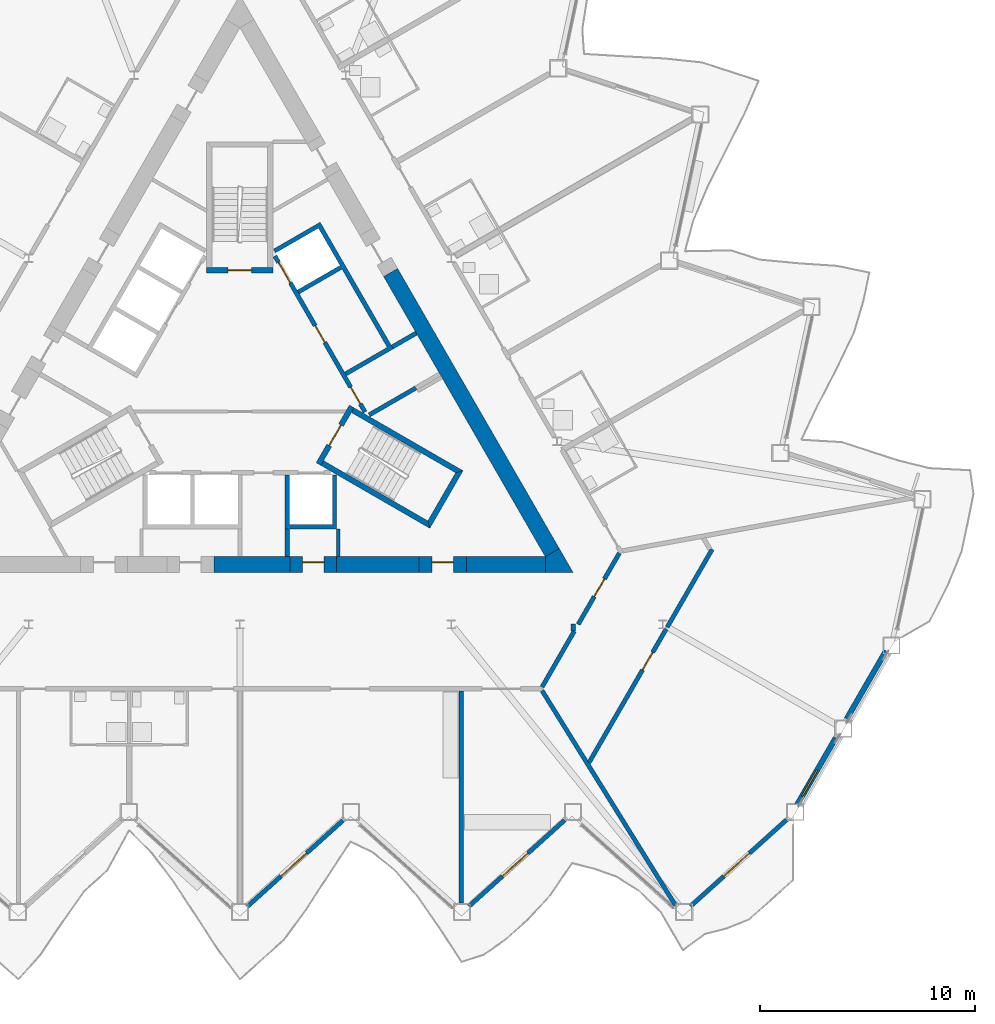
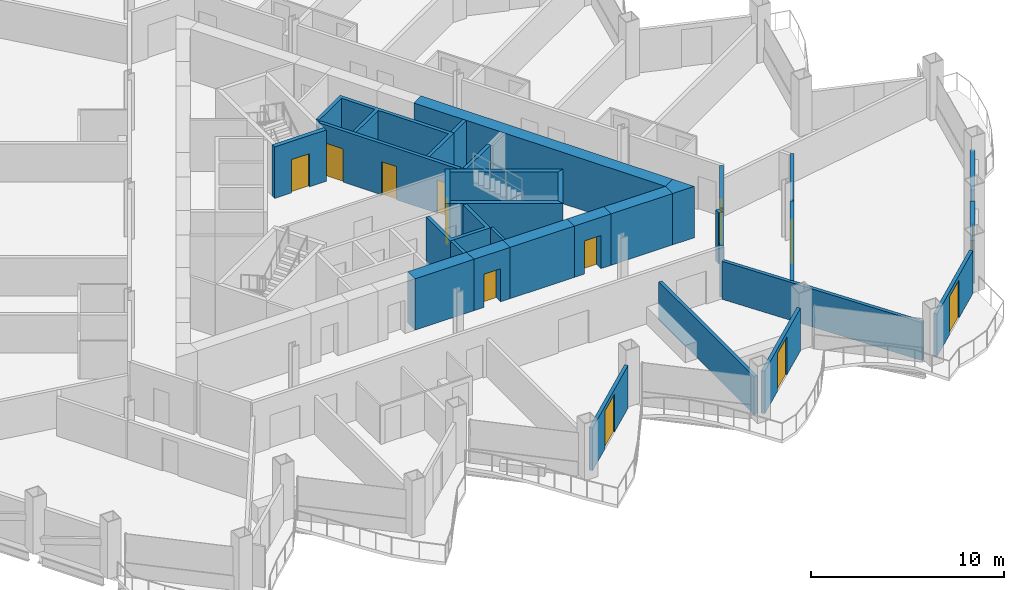
# One storey, part 13 of 24: 31 walls, 12 doors, 1 window, 13 openings.
"""IFC4 building model written with IfcOpenShell, lengths in metres."""

from ifc_helpers import new_model, si_unit, direction, frame, frame_2d, origin, place, context, subcontext, project, spatial, polyline, rectangle, outline, extrude, material, layer, layer_set, type_object, element, fill, save


model = new_model("IFC4")

# Units and contexts
model_context = context("Model", 3, precision=1e-05, world=origin(), true_north=direction((0.0, 1.0)))
body_context = subcontext(model_context, "Body", "Model", "MODEL_VIEW")
ifc_project = project(units=[si_unit("LENGTHUNIT", "METRE"), si_unit("AREAUNIT", "SQUARE_METRE"), si_unit("VOLUMEUNIT", "CUBIC_METRE"), si_unit("PLANEANGLEUNIT", "RADIAN"), si_unit("MASSUNIT", "GRAM", prefix="KILO")], contexts=[model_context])

# Site, building, storey
site_placement = place(None, origin())
site = spatial("IfcSite", under=ifc_project, at=site_placement, CompositionType="ELEMENT")
building_placement = place(site_placement, origin())
building = spatial("IfcBuilding", under=site, at=building_placement, Name="Cormorant Prow Tower", CompositionType="ELEMENT")
storey_placement = place(building_placement, frame((0.0, 0.0, 201.60009765625)))
storey = spatial("IfcBuildingStorey", under=building, at=storey_placement, Name="L44", CompositionType="ELEMENT", Elevation=201.60009765625)

# Walls
ifc_material_1 = material(Name="Gypsum board partition")
ifc_layer_1 = layer(ifc_material_1, 0.14990234375)
ifc_layer_set_1 = layer_set([ifc_layer_1], Name="Gypsum board partition")
wall_type_1 = type_object("IfcWallType", Name="Core partition 150", PredefinedType="PARTITIONING", material=ifc_layer_set_1)
wall_1_placement = place(storey_placement, frame((4.574951171875, -6.906005859375, 0.0), z_axis=(0.0, 0.0, 1.0), x_axis=(0.0, -1.0, 0.0)))
element("IfcWall", 1, at=wall_1_placement, inside=storey, type_object=wall_type_1, Name="Service room partition", PredefinedType="PARTITIONING", context=body_context, shape_type="SweptSolid", body=[
    extrude(rectangle(XDim=1.29296875, YDim=0.14990234375, at=frame_2d((0.646484375, 0.0))), origin(), (0.0, 0.0, 1.0), 3.25),
])
ifc_material_2 = material(Name="Concrete 8000 psi", Category="concrete")
ifc_layer_2 = layer(ifc_material_2, 0.75)
ifc_layer_set_2 = layer_set([ifc_layer_2], Name="Concrete 8000 psi")
wall_type_2 = type_object("IfcWallType", Name="Core shear wall 750", PredefinedType="SHEAR", material=ifc_layer_set_2)
wall_2_placement = place(storey_placement, frame((4.47998046875, -8.573974609375, 0.0), z_axis=(0.0, 0.0, 1.0), x_axis=(1.0, 0.0, 0.0)))
element("IfcWall", 2, at=wall_2_placement, inside=storey, type_object=wall_type_2, Name="Core wall", PredefinedType="SHEAR", context=body_context, shape_type="SweptSolid", body=[
    extrude(rectangle(XDim=3.845458984375, YDim=0.75, at=frame_2d((1.9228515625, 0.0))), origin(), (0.0, 0.0, 1.0), 3.25),
])
wall_3_placement = place(storey_placement, frame((10.525390625, -8.573974609375, 0.0), z_axis=(0.0, 0.0, 1.0), x_axis=(1.0, 0.0, 0.0)))
element("IfcWall", 3, at=wall_3_placement, inside=storey, type_object=wall_type_2, Name="Core wall", PredefinedType="SHEAR", context=body_context, shape_type="SweptSolid", body=[
    extrude(rectangle(XDim=3.675537109375, YDim=0.75, at=frame_2d((1.837890625, 0.0))), origin(), (0.0, 0.0, 1.0), 3.25),
])
wall_4_placement = place(storey_placement, frame((-1.199951171875, -8.573974609375, 0.0), z_axis=(0.0, 0.0, 1.0), x_axis=(1.0, 0.0, 0.0)))
element("IfcWall", 4, at=wall_4_placement, inside=storey, type_object=wall_type_2, Name="Core wall", PredefinedType="SHEAR", context=body_context, shape_type="SweptSolid", body=[
    extrude(rectangle(XDim=3.52001953125, YDim=0.75, at=frame_2d((1.760009765625, 0.0))), origin(), (0.0, 0.0, 1.0), 3.25),
])
wall_5_placement = place(storey_placement, frame((14.525634765625, -8.011474609375, 0.0), z_axis=(0.0, 0.0, 1.0), x_axis=(-0.499996012963, 0.866027705689, 0.0)))
element("IfcWall", 5, at=wall_5_placement, inside=storey, type_object=wall_type_2, Name="Core wall", PredefinedType="SHEAR", context=body_context, shape_type="SweptSolid", body=[
    extrude(rectangle(XDim=15.03857421875, YDim=0.75, at=frame_2d((7.519287109375, 0.0))), origin(), (0.0, 0.0, 1.0), 3.25),
])
wall_6_placement = place(storey_placement, origin())
element("IfcWall", 6, at=wall_6_placement, inside=storey, type_object=wall_type_2, Name="Core wall corner", PredefinedType="SHEAR", context=body_context, shape_type="SweptSolid", body=[
    extrude(outline(polyline([(14.200927734375, -8.948974609375), (14.200927734375, -8.198974609375), (14.8505859375, -7.823974609375), (15.5, -8.948974609375), (14.200927734375, -8.948974609375)])), origin(), (0.0, 0.0, 1.0), 3.25),
])

# Wall, opening, door
wall_7_placement = place(storey_placement, frame((2.320068359375, -8.573974609375, 0.0), z_axis=(0.0, 0.0, 1.0), x_axis=(1.0, 0.0, 0.0)))
wall_7 = element("IfcWall", 7, at=wall_7_placement, inside=storey, type_object=wall_type_2, Name="Core wall door panel", PredefinedType="SHEAR", context=body_context, shape_type="SweptSolid", body=[
    extrude(rectangle(XDim=2.159912109375, YDim=0.75, at=frame_2d((1.080078125, 0.0))), origin(), (0.0, 0.0, 1.0), 3.25),
])
opening_1_placement = place(wall_7_placement, frame((0.60009765625, 0.0, 0.0)))
opening_1 = element("IfcOpeningElement", 8, at=opening_1_placement, cuts=wall_7, Name="Opening L44-C15", PredefinedType="OPENING", context=body_context, shape_type="SweptSolid", body=[
    extrude(rectangle(XDim=1.0, YDim=2.10009765625, at=frame_2d((0.5, 1.050048828125))), frame((0.0, 0.385009765625, 0.0), z_axis=(0.0, -1.0, 0.0), x_axis=(1.0, 0.0, 0.0)), (0.0, 0.0, 1.0), 0.77001953125),
])
ifc_material_3 = material(Name="Painted steel", Category="steel")
door_type_1 = type_object("IfcDoorType", Name="Service door 1000x2100", OperationType="NOTDEFINED", PredefinedType="DOOR", material=ifc_material_3)
door_1_placement = place(opening_1_placement, origin())
door_1 = element("IfcDoor", 9, at=door_1_placement, inside=storey, type_object=door_type_1, Name="Core door, Telecom room", OperationType="SINGLE_SWING_LEFT", OverallHeight=2.10009765625, OverallWidth=1.0, PredefinedType="DOOR", context=body_context, shape_type="SweptSolid", body=[
    extrude(rectangle(XDim=1.0, YDim=2.10009765625, at=frame_2d((0.5, 1.050048828125))), frame((0.0, 0.1298828125, 0.0), z_axis=(0.0, -1.0, 0.0), x_axis=(1.0, 0.0, 0.0)), (0.0, 0.0, 1.0), 0.050048828125),
])
fill(opening_1, door_1)

wall_8_placement = place(storey_placement, frame((8.325439453125, -8.573974609375, 0.0), z_axis=(0.0, 0.0, 1.0), x_axis=(1.0, 0.0, 0.0)))
wall_8 = element("IfcWall", 10, at=wall_8_placement, inside=storey, type_object=wall_type_2, Name="Core wall door panel", PredefinedType="SHEAR", context=body_context, shape_type="SweptSolid", body=[
    extrude(rectangle(XDim=2.199951171875, YDim=0.75, at=frame_2d((1.10009765625, 0.0))), origin(), (0.0, 0.0, 1.0), 3.25),
])
opening_2_placement = place(wall_8_placement, frame((0.60009765625, 0.0, 0.0)))
opening_2 = element("IfcOpeningElement", 11, at=opening_2_placement, cuts=wall_8, Name="Opening L44-C17", PredefinedType="OPENING", context=body_context, shape_type="SweptSolid", body=[
    extrude(rectangle(XDim=1.0, YDim=2.10009765625, at=frame_2d((0.5, 1.050048828125))), frame((0.0, 0.385009765625, 0.0), z_axis=(0.0, -1.0, 0.0), x_axis=(1.0, 0.0, 0.0)), (0.0, 0.0, 1.0), 0.77001953125),
])
door_2_placement = place(opening_2_placement, origin())
door_2 = element("IfcDoor", 12, at=door_2_placement, inside=storey, type_object=door_type_1, Name="Core door, Cleaners store", OperationType="SINGLE_SWING_LEFT", OverallHeight=2.10009765625, OverallWidth=1.0, PredefinedType="DOOR", context=body_context, shape_type="SweptSolid", body=[
    extrude(rectangle(XDim=1.0, YDim=2.10009765625, at=frame_2d((0.5, 1.050048828125))), frame((0.0, 0.1298828125, 0.0), z_axis=(0.0, -1.0, 0.0), x_axis=(1.0, 0.0, 0.0)), (0.0, 0.0, 1.0), 0.050048828125),
])
fill(opening_2, door_2)

ifc_material_4 = material(Name="Gypsum board corridor wall")
ifc_layer_3 = layer(ifc_material_4, 0.199951171875)
ifc_layer_set_3 = layer_set([ifc_layer_3], Name="Gypsum board corridor wall")
wall_type_3 = type_object("IfcWallType", Name="Corridor wall 200", PredefinedType="PARTITIONING", material=ifc_layer_set_3)
wall_9_placement = place(storey_placement, frame((15.73095703125, -11.348876953125, 0.0), z_axis=(0.0, 0.0, 1.0), x_axis=(0.499961815444, 0.866047448526, 0.0)))
wall_9 = element("IfcWall", 13, at=wall_9_placement, inside=storey, type_object=wall_type_3, Name="Corridor wall", PredefinedType="PARTITIONING", context=body_context, shape_type="SweptSolid", body=[
    extrude(rectangle(XDim=3.825927734375, YDim=0.199951171875, at=frame_2d((1.9130859375, 0.0))), origin(), (0.0, 0.0, 1.0), 3.25),
])
opening_3_placement = place(wall_9_placement, frame((1.48974609375, 0.0, 0.0)))
opening_3 = element("IfcOpeningElement", 14, at=opening_3_placement, cuts=wall_9, Name="Opening L44-F08", PredefinedType="OPENING", context=body_context, shape_type="SweptSolid", body=[
    extrude(rectangle(XDim=0.949951171875, YDim=2.10009765625, at=frame_2d((0.47509765625, 1.050048828125))), frame((0.0, 0.10986328125, 0.0), z_axis=(0.0, -1.0, 0.0), x_axis=(1.0, 0.0, 0.0)), (0.0, 0.0, 1.0), 0.219970703125),
])
ifc_material_5 = material(Name="Timber door leaf", Category="wood")
door_type_2 = type_object("IfcDoorType", Name="Store door 950x2100", OperationType="NOTDEFINED", PredefinedType="DOOR", material=ifc_material_5)
door_3_placement = place(opening_3_placement, origin())
door_3 = element("IfcDoor", 15, at=door_3_placement, inside=storey, type_object=door_type_2, Name="Housekeeping room door", OperationType="SINGLE_SWING_LEFT", OverallHeight=2.10009765625, OverallWidth=0.949951171875, PredefinedType="DOOR", context=body_context, shape_type="SweptSolid", body=[
    extrude(rectangle(XDim=0.949951171875, YDim=2.10009765625, at=frame_2d((0.47509765625, 1.050048828125))), frame((0.0, 0.02490234375, 0.0), z_axis=(0.0, -1.0, 0.0), x_axis=(1.0, 0.0, 0.0)), (0.0, 0.0, 1.0), 0.050048828125),
])
fill(opening_3, door_3)

# Walls
wall_10_placement = place(storey_placement, frame((14.048828125, -14.26220703125, 0.0), z_axis=(0.0, 0.0, 1.0), x_axis=(0.500048608389, 0.865997337899, 0.0)))
element("IfcWall", 16, at=wall_10_placement, inside=storey, type_object=wall_type_3, Name="Corridor wall", PredefinedType="PARTITIONING", context=body_context, shape_type="SweptSolid", body=[
    extrude(rectangle(XDim=3.002197265625, YDim=0.199951171875, at=frame_2d((1.5009765625, 0.0))), origin(), (0.0, 0.0, 1.0), 3.25),
])
wall_11_placement = place(storey_placement, frame((15.5, -11.64892578125, 0.0), z_axis=(0.0, 0.0, 1.0), x_axis=(0.0, 1.0, 0.0)))
element("IfcWall", 17, at=wall_11_placement, inside=storey, type_object=wall_type_3, Name="Corridor wall", PredefinedType="PARTITIONING", context=body_context, shape_type="SweptSolid", body=[
    extrude(rectangle(XDim=0.31005859375, YDim=0.199951171875, at=frame_2d((0.155029296875, 0.0))), origin(), (0.0, 0.0, 1.0), 3.25),
])
ifc_material_6 = material(Name="Gypsum board demising wall")
ifc_layer_4 = layer(ifc_material_6, 0.199951171875)
ifc_layer_set_4 = layer_set([ifc_layer_4], Name="Gypsum board demising wall")
wall_type_4 = type_object("IfcWallType", Name="Demising wall 200", PredefinedType="PARTITIONING", material=ifc_layer_set_4)
wall_12_placement = place(storey_placement, frame((14.051513671875, -14.433837890625, 0.0), z_axis=(0.0, 0.0, 1.0), x_axis=(0.527581174538, -0.849504622868, 0.0)))
element("IfcWall", 18, at=wall_12_placement, inside=storey, type_object=wall_type_4, Name="Demising wall", PredefinedType="PARTITIONING", context=body_context, shape_type="SweptSolid", body=[
    extrude(rectangle(XDim=11.74658203125, YDim=0.199951171875, at=frame_2d((5.873291015625, 0.0))), origin(), (0.0, 0.0, 1.0), 2.404052734375),
])
wall_13_placement = place(storey_placement, frame((10.296142578125, -24.3115234375, 0.0), z_axis=(0.0, 0.0, 1.0), x_axis=(0.0, 1.0, 0.0)))
element("IfcWall", 19, at=wall_13_placement, inside=storey, type_object=wall_type_4, Name="Demising wall", PredefinedType="PARTITIONING", context=body_context, shape_type="SweptSolid", body=[
    extrude(rectangle(XDim=9.862548828125, YDim=0.199951171875, at=frame_2d((4.93115234375, 0.0))), origin(), (0.0, 0.0, 1.0), 2.404052734375),
])

# Wall, opening, door
wall_14_placement = place(storey_placement, frame((16.23291015625, -17.779296875, 0.0), z_axis=(0.0, 0.0, 1.0), x_axis=(0.500008997517, 0.866020209003, 0.0)))
wall_14 = element("IfcWall", 20, at=wall_14_placement, inside=storey, type_object=wall_type_4, Name="Demising wall", PredefinedType="PARTITIONING", context=body_context, shape_type="SweptSolid", body=[
    extrude(rectangle(XDim=7.178466796875, YDim=0.199951171875, at=frame_2d((3.58935546875, 0.0))), origin(), (0.0, 0.0, 1.0), 2.404052734375),
])
opening_4_placement = place(wall_14_placement, frame((4.973388671875, 0.0, 0.0)))
opening_4 = element("IfcOpeningElement", 21, at=opening_4_placement, cuts=wall_14, Name="Opening L44-F09", PredefinedType="OPENING", context=body_context, shape_type="SweptSolid", body=[
    extrude(rectangle(XDim=0.949951171875, YDim=2.10009765625, at=frame_2d((0.47509765625, 1.050048828125))), frame((0.0, 0.10986328125, 0.0), z_axis=(0.0, -1.0, 0.0), x_axis=(1.0, 0.0, 0.0)), (0.0, 0.0, 1.0), 0.219970703125),
])
door_4_placement = place(opening_4_placement, origin())
door_4 = element("IfcDoor", 22, at=door_4_placement, inside=storey, type_object=door_type_2, Name="Linen store door", OperationType="SINGLE_SWING_LEFT", OverallHeight=2.10009765625, OverallWidth=0.949951171875, PredefinedType="DOOR", context=body_context, shape_type="SweptSolid", body=[
    extrude(rectangle(XDim=0.949951171875, YDim=2.10009765625, at=frame_2d((0.47509765625, 1.050048828125))), frame((0.0, 0.02490234375, 0.0), z_axis=(0.0, -1.0, 0.0), x_axis=(1.0, 0.0, 0.0)), (0.0, 0.0, 1.0), 0.050048828125),
])
fill(opening_4, door_4)

# Wall
wall_15_placement = place(storey_placement, frame((19.87060546875, -11.478759765625, 0.0), z_axis=(0.0, 0.0, 1.0), x_axis=(0.499987304225, 0.866032733569, 0.0)))
element("IfcWall", 23, at=wall_15_placement, inside=storey, type_object=wall_type_4, Name="Demising wall", PredefinedType="PARTITIONING", context=body_context, shape_type="SweptSolid", body=[
    extrude(rectangle(XDim=4.17578125, YDim=0.199951171875, at=frame_2d((2.087890625, 0.0))), origin(), (0.0, 0.0, 1.0), 2.404052734375),
])

# Wall, openings, doors
ifc_material_7 = material(Name="Concrete 5000 psi", Category="concrete")
ifc_layer_5 = layer(ifc_material_7, 0.199951171875)
ifc_layer_set_5 = layer_set([ifc_layer_5], Name="Concrete 5000 psi")
wall_type_5 = type_object("IfcWallType", Name="Lift lobby wall 200", PredefinedType="SOLIDWALL", material=ifc_layer_set_5)
wall_16_placement = place(storey_placement, frame((5.817138671875, -1.4755859375, 0.0), z_axis=(0.0, 0.0, 1.0), x_axis=(-0.500002616675, 0.866023893041, 0.0)))
wall_16 = element("IfcWall", 24, at=wall_16_placement, inside=storey, type_object=wall_type_5, Name="Lift lobby wall, ENE block", PredefinedType="SOLIDWALL", context=body_context, shape_type="SweptSolid", body=[
    extrude(rectangle(XDim=8.373046875, YDim=0.199951171875, at=frame_2d((4.1865234375, 0.0))), origin(), (0.0, 0.0, 1.0), 3.25),
])
opening_5_placement = place(wall_16_placement, frame((0.4365234375, 0.0, 0.0)))
opening_5 = element("IfcOpeningElement", 25, at=opening_5_placement, cuts=wall_16, Name="Opening L44-C05", PredefinedType="OPENING", context=body_context, shape_type="SweptSolid", body=[
    extrude(rectangle(XDim=0.89990234375, YDim=2.10009765625, at=frame_2d((0.449951171875, 1.050048828125))), frame((0.0, 0.10986328125, 0.0), z_axis=(0.0, -1.0, 0.0), x_axis=(1.0, 0.0, 0.0)), (0.0, 0.0, 1.0), 0.219970703125),
])
opening_6_placement = place(wall_16_placement, frame((3.736572265625, 0.0, 0.0)))
opening_6 = element("IfcOpeningElement", 26, at=opening_6_placement, cuts=wall_16, Name="Opening L44-C06", PredefinedType="OPENING", context=body_context, shape_type="SweptSolid", body=[
    extrude(rectangle(XDim=0.89990234375, YDim=2.10009765625, at=frame_2d((0.449951171875, 1.050048828125))), frame((0.0, 0.10986328125, 0.0), z_axis=(0.0, -1.0, 0.0), x_axis=(1.0, 0.0, 0.0)), (0.0, 0.0, 1.0), 0.219970703125),
])
opening_7_placement = place(wall_16_placement, frame((6.9365234375, 0.0, 0.0)))
opening_7 = element("IfcOpeningElement", 27, at=opening_7_placement, cuts=wall_16, Name="Opening L44-C07", PredefinedType="OPENING", context=body_context, shape_type="SweptSolid", body=[
    extrude(rectangle(XDim=1.10009765625, YDim=2.10009765625, at=frame_2d((0.550048828125, 1.050048828125))), frame((0.0, 0.10986328125, 0.0), z_axis=(0.0, -1.0, 0.0), x_axis=(1.0, 0.0, 0.0)), (0.0, 0.0, 1.0), 0.219970703125),
])
ifc_material_8 = material(Name="Painted steel", Category="steel")
door_type_3 = type_object("IfcDoorType", Name="Lift landing door 1100x2100", OperationType="SLIDING_TO_LEFT", PredefinedType="DOOR", material=ifc_material_8)
door_5_placement = place(opening_7_placement, origin())
door_5 = element("IfcDoor", 28, at=door_5_placement, inside=storey, type_object=door_type_3, Name="Landing door MR1", OperationType="SLIDING_TO_LEFT", OverallHeight=2.10009765625, OverallWidth=1.10009765625, PredefinedType="DOOR", context=body_context, shape_type="SweptSolid", body=[
    extrude(rectangle(XDim=1.10009765625, YDim=2.10009765625, at=frame_2d((0.550048828125, 1.050048828125))), frame((0.0, 0.02490234375, 0.0), z_axis=(0.0, -1.0, 0.0), x_axis=(1.0, 0.0, 0.0)), (0.0, 0.0, 1.0), 0.050048828125),
])
fill(opening_7, door_5)
ifc_material_9 = material(Name="Painted steel", Category="steel")
door_type_4 = type_object("IfcDoorType", Name="Service door 900x2100", OperationType="NOTDEFINED", PredefinedType="DOOR", material=ifc_material_9)
door_6_placement = place(opening_5_placement, origin())
door_6 = element("IfcDoor", 29, at=door_6_placement, inside=storey, type_object=door_type_4, Name="Service door, Linen store", OperationType="SINGLE_SWING_LEFT", OverallHeight=2.10009765625, OverallWidth=0.89990234375, PredefinedType="DOOR", context=body_context, shape_type="SweptSolid", body=[
    extrude(rectangle(XDim=0.89990234375, YDim=2.10009765625, at=frame_2d((0.449951171875, 1.050048828125))), frame((0.0, 0.02490234375, 0.0), z_axis=(0.0, -1.0, 0.0), x_axis=(1.0, 0.0, 0.0)), (0.0, 0.0, 1.0), 0.050048828125),
])
fill(opening_5, door_6)
door_7_placement = place(opening_6_placement, origin())
door_7 = element("IfcDoor", 30, at=door_7_placement, inside=storey, type_object=door_type_4, Name="Service door, Refuse store", OperationType="SINGLE_SWING_RIGHT", OverallHeight=2.10009765625, OverallWidth=0.89990234375, PredefinedType="DOOR", context=body_context, shape_type="SweptSolid", body=[
    extrude(rectangle(XDim=0.89990234375, YDim=2.10009765625, at=frame_2d((0.449951171875, 1.050048828125))), frame((0.0, 0.02490234375, 0.0), z_axis=(0.0, -1.0, 0.0), x_axis=(1.0, 0.0, 0.0)), (0.0, 0.0, 1.0), 0.050048828125),
])
fill(opening_6, door_7)

# Walls
ifc_material_10 = material(Name="Concrete 8000 psi", Category="concrete")
ifc_layer_6 = layer(ifc_material_10, 0.199951171875)
ifc_layer_set_6 = layer_set([ifc_layer_6], Name="Concrete 8000 psi")
wall_type_6 = type_object("IfcWallType", Name="Lift shaft wall 200", PredefinedType="SHEAR", material=ifc_layer_set_6)
wall_17_placement = place(storey_placement, origin())
element("IfcWall", 31, at=wall_17_placement, inside=storey, type_object=wall_type_6, Name="Lift shaft walls, S block", PredefinedType="SHEAR", context=body_context, shape_type="SweptSolid", body=[
    extrude(outline(polyline([(4.5, -4.39990234375), (4.5, -6.906005859375), (2.10009765625, -6.906005859375), (2.10009765625, -4.39990234375), (2.300048828125, -4.39990234375), (2.300048828125, -6.699951171875), (4.300048828125, -6.699951171875), (4.300048828125, -4.39990234375), (4.5, -4.39990234375)])), origin(), (0.0, 0.0, 1.0), 3.25),
])
wall_18_placement = place(storey_placement, frame((2.199951171875, -6.906005859375, 0.0), z_axis=(0.0, 0.0, 1.0), x_axis=(0.0, -1.0, 0.0)))
element("IfcWall", 32, at=wall_18_placement, inside=storey, type_object=wall_type_6, Name="Store side wall", PredefinedType="SHEAR", context=body_context, shape_type="SweptSolid", body=[
    extrude(rectangle(XDim=1.29296875, YDim=0.199951171875, at=frame_2d((0.646484375, 0.0))), origin(), (0.0, 0.0, 1.0), 3.25),
])
wall_19_placement = place(storey_placement, origin())
element("IfcWall", 33, at=wall_19_placement, inside=storey, type_object=wall_type_6, Name="Lift shaft walls, ENE block", PredefinedType="SHEAR", context=body_context, shape_type="SweptSolid", body=[
    extrude(outline(polyline([(1.560546875, 6.09716796875), (3.730712890625, 7.35009765625), (7.130859375, 1.461181640625), (4.96044921875, 0.2080078125), (4.860595703125, 0.38134765625), (6.852294921875, 1.53125), (4.75244140625, 5.168701171875), (2.760498046875, 4.018798828125), (2.660400390625, 4.19189453125), (4.65234375, 5.341796875), (3.65234375, 7.073974609375), (1.660400390625, 5.923828125), (1.560546875, 6.09716796875)])), origin(), (0.0, 0.0, 1.0), 3.25),
])
wall_20_placement = place(storey_placement, origin())
element("IfcWall", 34, at=wall_20_placement, inside=storey, type_object=wall_type_6, Name="Lift shaft walls, ENE block", PredefinedType="SHEAR", context=body_context, shape_type="SweptSolid", body=[
    extrude(outline(polyline([(8.230712890625, -0.444091796875), (6.060546875, -1.697021484375), (5.96044921875, -1.52392578125), (8.130859375, -0.27099609375), (8.230712890625, -0.444091796875)])), origin(), (0.0, 0.0, 1.0), 3.25),
])
wall_21_placement = place(storey_placement, frame((7.080810546875, 1.547607421875, 0.0), z_axis=(0.0, 0.0, 1.0), x_axis=(0.866003189247, 0.500038474733, 0.0)))
element("IfcWall", 35, at=wall_21_placement, inside=storey, type_object=wall_type_6, Name="Store side wall", PredefinedType="SHEAR", context=body_context, shape_type="SweptSolid", body=[
    extrude(rectangle(XDim=1.29296875, YDim=0.199951171875, at=frame_2d((0.646484375, 0.0))), origin(), (0.0, 0.0, 1.0), 3.25),
])
ifc_material_11 = material(Name="Concrete 8000 psi", Category="concrete")
ifc_layer_7 = layer(ifc_material_11, 0.25)
ifc_layer_set_7 = layer_set([ifc_layer_7], Name="Concrete 8000 psi")
wall_type_7 = type_object("IfcWallType", Name="Stair wall 250", PredefinedType="SHEAR", material=ifc_layer_set_7)
wall_22_placement = place(storey_placement, origin())
element("IfcWall", 36, at=wall_22_placement, inside=storey, type_object=wall_type_7, Name="Stair ST2 enclosure wall (flank)", PredefinedType="SHEAR", context=body_context, shape_type="SweptSolid", body=[
    extrude(outline(polyline([(3.76318359375, -3.95556640625), (8.82958984375, -6.880615234375), (8.738037109375, -6.5390625), (3.88818359375, -3.739013671875), (3.76318359375, -3.95556640625)])), origin(), (0.0, 0.0, 1.0), 3.25),
])
wall_23_placement = place(storey_placement, origin())
element("IfcWall", 37, at=wall_23_placement, inside=storey, type_object=wall_type_7, Name="Stair ST2 enclosure wall (end)", PredefinedType="SHEAR", context=body_context, shape_type="SweptSolid", body=[
    extrude(outline(polyline([(8.82958984375, -6.880615234375), (10.37353515625, -4.206298828125), (10.031982421875, -4.2978515625), (8.738037109375, -6.5390625), (8.82958984375, -6.880615234375)])), origin(), (0.0, 0.0, 1.0), 3.25),
])
wall_24_placement = place(storey_placement, origin())
element("IfcWall", 38, at=wall_24_placement, inside=storey, type_object=wall_type_7, Name="Stair ST2 enclosure wall (flank)", PredefinedType="SHEAR", context=body_context, shape_type="SweptSolid", body=[
    extrude(outline(polyline([(10.031982421875, -4.2978515625), (10.37353515625, -4.206298828125), (5.30712890625, -1.28125), (5.18212890625, -1.497802734375), (10.031982421875, -4.2978515625)])), origin(), (0.0, 0.0, 1.0), 3.25),
])

# Wall, opening, door
wall_25_placement = place(storey_placement, frame((3.655029296875, -3.89306640625, 0.0), z_axis=(0.0, 0.0, 1.0), x_axis=(0.499982516597, 0.866035497597, 0.0)))
wall_25 = element("IfcWall", 39, at=wall_25_placement, inside=storey, type_object=wall_type_7, Name="Stair ST2 door wall", PredefinedType="SHEAR", context=body_context, shape_type="SweptSolid", body=[
    extrude(rectangle(XDim=3.087890625, YDim=0.25, at=frame_2d((1.5439453125, 0.0))), origin(), (0.0, 0.0, 1.0), 3.25),
])
opening_8_placement = place(wall_25_placement, frame((0.993896484375, 0.0, 0.0)))
opening_8 = element("IfcOpeningElement", 40, at=opening_8_placement, cuts=wall_25, Name="Opening L44-C12", PredefinedType="OPENING", context=body_context, shape_type="SweptSolid", body=[
    extrude(rectangle(XDim=1.10009765625, YDim=2.10009765625, at=frame_2d((0.550048828125, 1.050048828125))), frame((0.0, 0.135009765625, 0.0), z_axis=(0.0, -1.0, 0.0), x_axis=(1.0, 0.0, 0.0)), (0.0, 0.0, 1.0), 0.27001953125),
])
ifc_material_12 = material(Name="Painted steel", Category="steel")
door_type_5 = type_object("IfcDoorType", Name="Stair door 1100x2100", OperationType="NOTDEFINED", PredefinedType="DOOR", material=ifc_material_12)
door_8_placement = place(opening_8_placement, origin())
door_8 = element("IfcDoor", 41, at=door_8_placement, inside=storey, type_object=door_type_5, Name="Stair ST2 door", OperationType="SINGLE_SWING_RIGHT", OverallHeight=2.10009765625, OverallWidth=1.10009765625, PredefinedType="DOOR", context=body_context, shape_type="SweptSolid", body=[
    extrude(rectangle(XDim=1.10009765625, YDim=2.10009765625, at=frame_2d((0.550048828125, 1.050048828125))), frame((0.0, 0.02490234375, 0.0), z_axis=(0.0, -1.0, 0.0), x_axis=(1.0, 0.0, 0.0)), (0.0, 0.0, 1.0), 0.050048828125),
])
fill(opening_8, door_8)

wall_26_placement = place(storey_placement, frame((1.5439453125, 5.11181640625, 0.0), z_axis=(0.0, 0.0, 1.0), x_axis=(-1.0, 0.0, 0.0)))
wall_26 = element("IfcWall", 42, at=wall_26_placement, inside=storey, type_object=wall_type_7, Name="Stair ST3 door wall", PredefinedType="SHEAR", context=body_context, shape_type="SweptSolid", body=[
    extrude(rectangle(XDim=3.087890625, YDim=0.25, at=frame_2d((1.5439453125, 0.0))), origin(), (0.0, 0.0, 1.0), 3.25),
])
opening_9_placement = place(wall_26_placement, frame((0.993896484375, 0.0, 0.0)))
opening_9 = element("IfcOpeningElement", 43, at=opening_9_placement, cuts=wall_26, Name="Opening L44-C13", PredefinedType="OPENING", context=body_context, shape_type="SweptSolid", body=[
    extrude(rectangle(XDim=1.10009765625, YDim=2.10009765625, at=frame_2d((0.550048828125, 1.050048828125))), frame((0.0, 0.135009765625, 0.0), z_axis=(0.0, -1.0, 0.0), x_axis=(1.0, 0.0, 0.0)), (0.0, 0.0, 1.0), 0.27001953125),
])
door_9_placement = place(opening_9_placement, origin())
door_9 = element("IfcDoor", 44, at=door_9_placement, inside=storey, type_object=door_type_5, Name="Stair ST3 door", OperationType="SINGLE_SWING_RIGHT", OverallHeight=2.10009765625, OverallWidth=1.10009765625, PredefinedType="DOOR", context=body_context, shape_type="SweptSolid", body=[
    extrude(rectangle(XDim=1.10009765625, YDim=2.10009765625, at=frame_2d((0.550048828125, 1.050048828125))), frame((0.0, 0.02490234375, 0.0), z_axis=(0.0, -1.0, 0.0), x_axis=(1.0, 0.0, 0.0)), (0.0, 0.0, 1.0), 0.050048828125),
])
fill(opening_9, door_9)

# Wall, opening, window
ifc_material_13 = material(Name="Terracotta", Category="masonry")
ifc_layer_8 = layer(ifc_material_13, 0.25)
ifc_layer_set_8 = layer_set([ifc_layer_8], Name="Terracotta")
wall_type_8 = type_object("IfcWallType", Name="Terracotta bay wall 250", PredefinedType="SOLIDWALL", material=ifc_layer_set_8)
wall_27_placement = place(storey_placement, frame((25.915771484375, -19.7255859375, 0.0), z_axis=(0.0, 0.0, 1.0), x_axis=(0.500054932303, 0.865993686281, 0.0)))
wall_27 = element("IfcWall", 45, at=wall_27_placement, inside=storey, type_object=wall_type_8, Name="Terracotta bay wall ESE00", PredefinedType="SOLIDWALL", context=body_context, shape_type="SweptSolid", body=[
    extrude(rectangle(XDim=3.58056640625, YDim=0.25, at=frame_2d((1.790283203125, 0.0))), origin(), (0.0, 0.0, 1.0), 2.70068359375),
])
opening_10_placement = place(wall_27_placement, frame((0.449951171875, 0.0, 1.699951171875)))
opening_10 = element("IfcOpeningElement", 46, at=opening_10_placement, cuts=wall_27, Name="Opening WN3", PredefinedType="OPENING", context=body_context, shape_type="SweptSolid", body=[
    extrude(rectangle(XDim=1.39990234375, YDim=0.800048828125, at=frame_2d((0.699951171875, 0.39990234375))), frame((0.0, 0.135009765625, 0.0), z_axis=(0.0, -1.0, 0.0), x_axis=(1.0, 0.0, 0.0)), (0.0, 0.0, 1.0), 0.27001953125),
])
ifc_material_14 = material(Name="Aluminium 6063-T6", Category="aluminium")
window_type = type_object("IfcWindowType", Name="Corner bay window 1400x800", PartitioningType="SINGLE_PANEL", PredefinedType="WINDOW", material=ifc_material_14)
window_placement = place(opening_10_placement, origin())
window = element("IfcWindow", 47, at=window_placement, inside=storey, type_object=window_type, Name="Corner bay window ESE00", OverallHeight=0.800048828125, OverallWidth=1.39990234375, PartitioningType="SINGLE_PANEL", PredefinedType="WINDOW", context=body_context, shape_type="SweptSolid", body=[
    extrude(rectangle(XDim=1.39990234375, YDim=0.800048828125, at=frame_2d((0.699951171875, 0.39990234375))), frame((0.0, 0.030029296875, 0.0), z_axis=(0.0, -1.0, 0.0), x_axis=(1.0, 0.0, 0.0)), (0.0, 0.0, 1.0), 0.06005859375),
])
fill(opening_10, window)

# Wall
wall_28_placement = place(storey_placement, frame((28.21142578125, -15.749755859375, 0.0), z_axis=(0.0, 0.0, 1.0), x_axis=(0.499978523533, 0.866037802874, 0.0)))
element("IfcWall", 48, at=wall_28_placement, inside=storey, type_object=wall_type_8, Name="Terracotta bay wall ESE01", PredefinedType="SOLIDWALL", context=body_context, shape_type="SweptSolid", body=[
    extrude(rectangle(XDim=3.658935546875, YDim=0.25, at=frame_2d((1.82958984375, 0.0))), origin(), (0.0, 0.0, 1.0), 2.70068359375),
])

# Wall, opening, door
ifc_material_15 = material(Name="Terracotta", Category="masonry")
ifc_layer_9 = layer(ifc_material_15, 0.199951171875)
ifc_layer_set_9 = layer_set([ifc_layer_9], Name="Terracotta")
wall_type_9 = type_object("IfcWallType", Name="Terracotta jamb wall 200", PredefinedType="SOLIDWALL", material=ifc_layer_set_9)
wall_29_placement = place(storey_placement, frame((0.355224609375, -24.4609375, 0.0), z_axis=(0.0, 0.0, 1.0), x_axis=(0.743133280699, 0.669143427912, 0.0)))
wall_29 = element("IfcWall", 49, at=wall_29_placement, inside=storey, type_object=wall_type_9, Name="Terracotta jamb wall S05", PredefinedType="SOLIDWALL", context=body_context, shape_type="SweptSolid", body=[
    extrude(rectangle(XDim=5.96240234375, YDim=0.199951171875, at=frame_2d((2.981201171875, 0.0))), origin(), (0.0, 0.0, 1.0), 2.70068359375),
])
opening_11_placement = place(wall_29_placement, frame((2.095703125, 0.0, 0.0)))
opening_11 = element("IfcOpeningElement", 50, at=opening_11_placement, cuts=wall_29, Name="Opening ED44.03", PredefinedType="OPENING", context=body_context, shape_type="SweptSolid", body=[
    extrude(rectangle(XDim=1.60009765625, YDim=2.39990234375, at=frame_2d((0.800048828125, 1.199951171875))), frame((0.0, 0.10986328125, 0.0), z_axis=(0.0, -1.0, 0.0), x_axis=(1.0, 0.0, 0.0)), (0.0, 0.0, 1.0), 0.219970703125),
])
ifc_material_16 = material(Name="Aluminium 6063-T6", Category="aluminium")
door_type_6 = type_object("IfcDoorType", Name="Balcony door 1600x2400", OperationType="DOUBLE_DOOR_SINGLE_SWING", PredefinedType="DOOR", material=ifc_material_16)
door_10_placement = place(opening_11_placement, origin())
door_10 = element("IfcDoor", 51, at=door_10_placement, inside=storey, type_object=door_type_6, Name="Balcony door S05 ED44.03", OperationType="DOUBLE_DOOR_SINGLE_SWING", OverallHeight=2.39990234375, OverallWidth=1.60009765625, PredefinedType="DOOR", context=body_context, shape_type="SweptSolid", body=[
    extrude(rectangle(XDim=1.60009765625, YDim=2.39990234375, at=frame_2d((0.800048828125, 1.199951171875))), frame((0.0, 0.02490234375, 0.0), z_axis=(0.0, -1.0, 0.0), x_axis=(1.0, 0.0, 0.0)), (0.0, 0.0, 1.0), 0.050048828125),
])
fill(opening_11, door_10)

wall_30_placement = place(storey_placement, frame((10.6513671875, -24.4609375, 0.0), z_axis=(0.0, 0.0, 1.0), x_axis=(0.743135744435, 0.669140691741, 0.0)))
wall_30 = element("IfcWall", 52, at=wall_30_placement, inside=storey, type_object=wall_type_9, Name="Terracotta jamb wall S07", PredefinedType="SOLIDWALL", context=body_context, shape_type="SweptSolid", body=[
    extrude(rectangle(XDim=5.978515625, YDim=0.199951171875, at=frame_2d((2.9892578125, 0.0))), origin(), (0.0, 0.0, 1.0), 2.70068359375),
])
opening_12_placement = place(wall_30_placement, frame((2.095703125, 0.0, 0.0)))
opening_12 = element("IfcOpeningElement", 53, at=opening_12_placement, cuts=wall_30, Name="Opening ED44.04", PredefinedType="OPENING", context=body_context, shape_type="SweptSolid", body=[
    extrude(rectangle(XDim=1.60009765625, YDim=2.39990234375, at=frame_2d((0.800048828125, 1.199951171875))), frame((0.0, 0.10986328125, 0.0), z_axis=(0.0, -1.0, 0.0), x_axis=(1.0, 0.0, 0.0)), (0.0, 0.0, 1.0), 0.219970703125),
])
door_11_placement = place(opening_12_placement, origin())
door_11 = element("IfcDoor", 54, at=door_11_placement, inside=storey, type_object=door_type_6, Name="Balcony door S07 ED44.04", OperationType="DOUBLE_DOOR_SINGLE_SWING", OverallHeight=2.39990234375, OverallWidth=1.60009765625, PredefinedType="DOOR", context=body_context, shape_type="SweptSolid", body=[
    extrude(rectangle(XDim=1.60009765625, YDim=2.39990234375, at=frame_2d((0.800048828125, 1.199951171875))), frame((0.0, 0.02490234375, 0.0), z_axis=(0.0, -1.0, 0.0), x_axis=(1.0, 0.0, 0.0)), (0.0, 0.0, 1.0), 0.050048828125),
])
fill(opening_12, door_11)

wall_31_placement = place(storey_placement, frame((20.947265625, -24.4609375, 0.0), z_axis=(0.0, 0.0, 1.0), x_axis=(0.743162770969, 0.669110675333, 0.0)))
wall_31 = element("IfcWall", 55, at=wall_31_placement, inside=storey, type_object=wall_type_9, Name="Terracotta jamb wall S09", PredefinedType="SOLIDWALL", context=body_context, shape_type="SweptSolid", body=[
    extrude(rectangle(XDim=6.0068359375, YDim=0.199951171875, at=frame_2d((3.00341796875, 0.0))), origin(), (0.0, 0.0, 1.0), 2.70068359375),
])
opening_13_placement = place(wall_31_placement, frame((2.095703125, 0.0, 0.0)))
opening_13 = element("IfcOpeningElement", 56, at=opening_13_placement, cuts=wall_31, Name="Opening ED44.05", PredefinedType="OPENING", context=body_context, shape_type="SweptSolid", body=[
    extrude(rectangle(XDim=1.60009765625, YDim=2.39990234375, at=frame_2d((0.800048828125, 1.199951171875))), frame((0.0, 0.10986328125, 0.0), z_axis=(0.0, -1.0, 0.0), x_axis=(1.0, 0.0, 0.0)), (0.0, 0.0, 1.0), 0.219970703125),
])
door_12_placement = place(opening_13_placement, origin())
door_12 = element("IfcDoor", 57, at=door_12_placement, inside=storey, type_object=door_type_6, Name="Balcony door S09 ED44.05", OperationType="DOUBLE_DOOR_SINGLE_SWING", OverallHeight=2.39990234375, OverallWidth=1.60009765625, PredefinedType="DOOR", context=body_context, shape_type="SweptSolid", body=[
    extrude(rectangle(XDim=1.60009765625, YDim=2.39990234375, at=frame_2d((0.800048828125, 1.199951171875))), frame((0.0, 0.02490234375, 0.0), z_axis=(0.0, -1.0, 0.0), x_axis=(1.0, 0.0, 0.0)), (0.0, 0.0, 1.0), 0.050048828125),
])
fill(opening_13, door_12)

save(model, "model.ifc")
